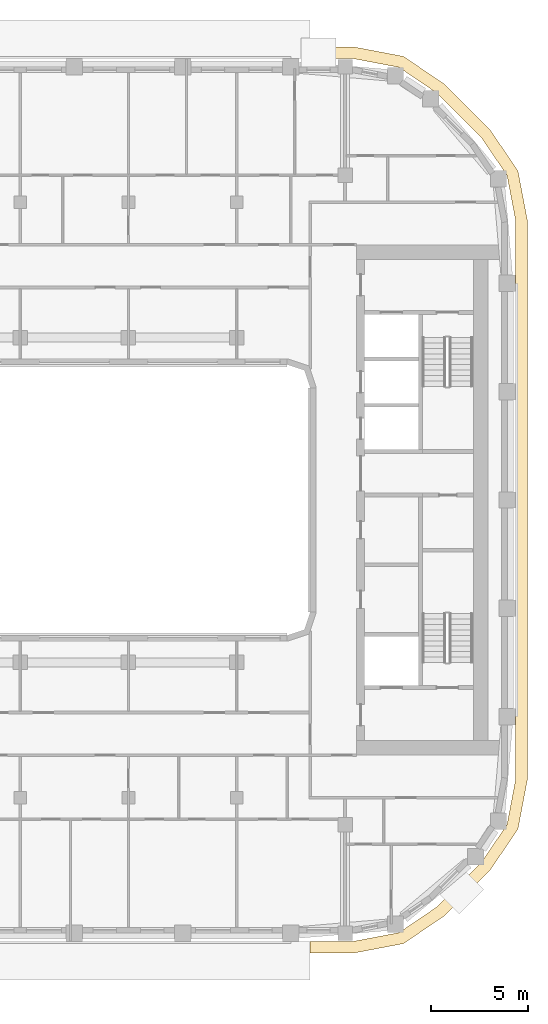
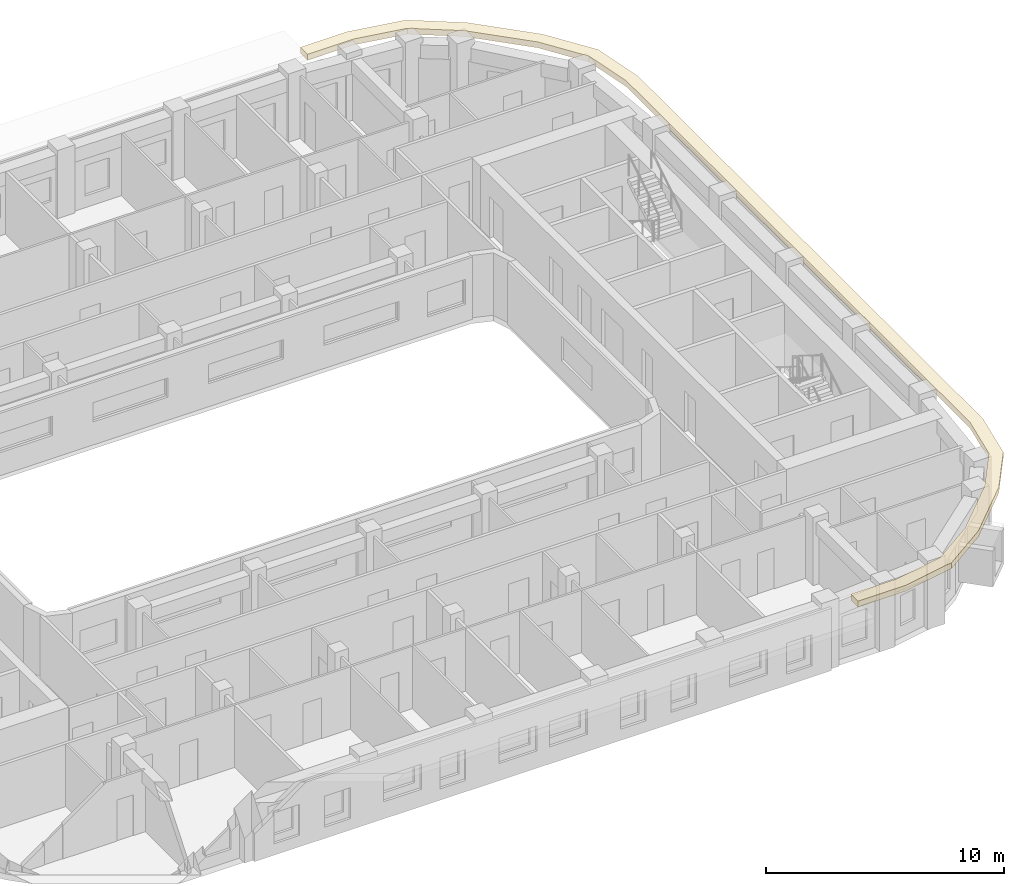
# One storey, part 17 of 21: 1 covering.
"""IFC4 building model written with IfcOpenShell, lengths in metres."""

from ifc_helpers import new_model, si_unit, direction, frame, origin, place, context, subcontext, project, spatial, polyline, outline, extrude, material, layer, layer_set, type_object, element, save


model = new_model("IFC4")

# Units and contexts
model_context = context("Model", 3, precision=1e-05, world=origin(), true_north=direction((0.0, 1.0)))
body_context = subcontext(model_context, "Body", "Model", "MODEL_VIEW")
ifc_project = project(units=[si_unit("LENGTHUNIT", "METRE"), si_unit("AREAUNIT", "SQUARE_METRE"), si_unit("VOLUMEUNIT", "CUBIC_METRE"), si_unit("PLANEANGLEUNIT", "RADIAN"), si_unit("MASSUNIT", "GRAM", prefix="KILO")], contexts=[model_context])

# Site, building, storey
site_placement = place(None, origin())
site = spatial("IfcSite", under=ifc_project, at=site_placement, CompositionType="ELEMENT")
building_placement = place(site_placement, origin())
building = spatial("IfcBuilding", under=site, at=building_placement, Name="Kiln Ring Residences", CompositionType="ELEMENT")
storey_placement = place(building_placement, frame((0.0, 0.0, 220.39990234375)))
storey = spatial("IfcBuildingStorey", under=building, at=storey_placement, Name="L57", CompositionType="ELEMENT", Elevation=220.39990234375)

# Covering
ifc_material = material(Name="Black powder-coated steel", Category="steel")
ifc_layer = layer(ifc_material, 0.300048828125)
ifc_layer_set = layer_set([ifc_layer], Name="SUNSHADE FIN 600")
covering_type = type_object("IfcCoveringType", Name="SUNSHADE FIN 600", PredefinedType="CLADDING", material=ifc_layer_set)
covering_placement = place(storey_placement, frame((0.0, 0.0, 3.2001953125)))
element("IfcCovering", 1, at=covering_placement, inside=storey, type_object=covering_type, Name="SUNSHADE FIN L57", PredefinedType="CLADDING", context=body_context, shape_type="SweptSolid", body=[
    extrude(outline(polyline([(17.296875, 23.425048828125), (15.0, 23.425048828125), (15.0, 22.824951171875), (17.240234375, 22.824951171875), (19.59033203125, 22.376708984375), (21.569091796875, 21.031982421875), (23.831787109375, 18.769287109375), (25.1767578125, 16.790283203125), (25.625, 14.440185546875), (25.625, -14.440185546875), (25.1767578125, -16.790283203125), (23.831787109375, -18.769287109375), (21.569091796875, -21.031982421875), (19.59033203125, -22.376708984375), (17.240234375, -22.824951171875), (15.0, -22.824951171875), (15.0, -23.425048828125), (17.296875, -23.425048828125), (19.82470703125, -22.94287109375), (21.953369140625, -21.49609375), (24.296142578125, -19.1533203125), (25.742919921875, -17.02490234375), (26.22509765625, -14.496826171875), (26.22509765625, 14.496826171875), (25.742919921875, 17.02490234375), (24.296142578125, 19.1533203125), (21.953369140625, 21.49609375), (19.82470703125, 22.94287109375), (17.296875, 23.425048828125)])), origin(), (0.0, 0.0, 1.0), 0.2998046875),
])

save(model, "model.ifc")
